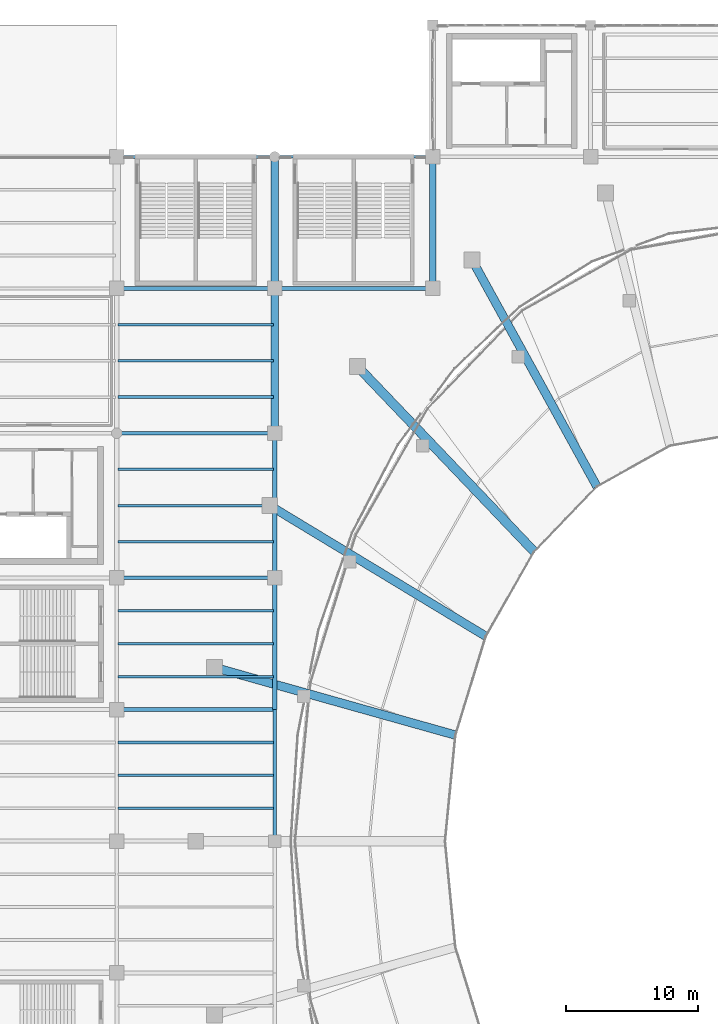
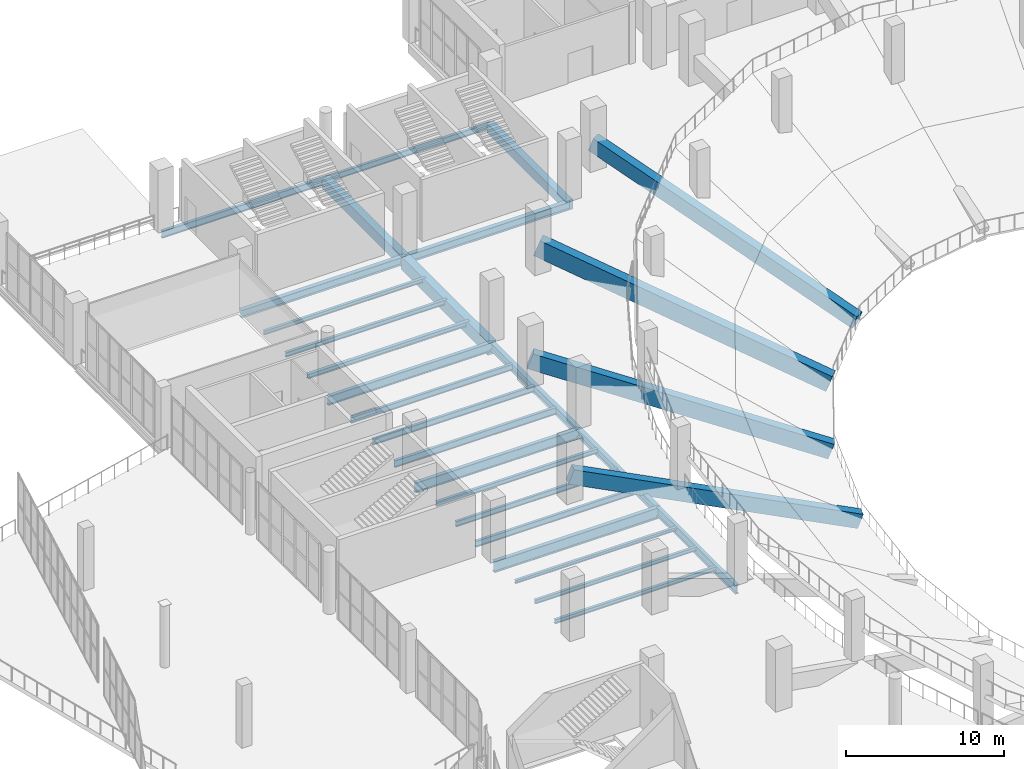
# One storey, part 51 of 136: 29 beams.
"""IFC4 building model written with IfcOpenShell, lengths in metres."""

from ifc_helpers import new_model, si_unit, direction, frame, origin, origin_2d, place, context, subcontext, project, spatial, rectangle, i_section, extrude, material, material_profile, profile_set, type_object, element, save


model = new_model("IFC4")

# Units and contexts
model_context = context("Model", 3, precision=1e-05, world=origin(), true_north=direction((0.0, 1.0)))
body_context = subcontext(model_context, "Body", "Model", "MODEL_VIEW")
ifc_project = project(units=[si_unit("LENGTHUNIT", "METRE"), si_unit("AREAUNIT", "SQUARE_METRE"), si_unit("VOLUMEUNIT", "CUBIC_METRE"), si_unit("PLANEANGLEUNIT", "RADIAN"), si_unit("MASSUNIT", "GRAM", prefix="KILO")], contexts=[model_context])

# Site, building, storey
site_placement = place(None, origin())
site = spatial("IfcSite", under=ifc_project, at=site_placement, CompositionType="ELEMENT")
building_placement = place(site_placement, origin())
building = spatial("IfcBuilding", under=site, at=building_placement, Name="Brinegate Civic Arena", CompositionType="ELEMENT")
storey_placement = place(building_placement, frame((0.0, 0.0, 5.39990234375)))
storey = spatial("IfcBuildingStorey", under=building, at=storey_placement, Name="L01", CompositionType="ELEMENT", Elevation=5.39990234375)

# Beams
ifc_material_1 = material(Name="Steel S355", Category="steel")
ifc_material_profile_1 = material_profile(ifc_material_1, i_section(OverallWidth=0.323974609375, OverallDepth=0.611083984375, WebThickness=0.012939453125, FlangeThickness=0.01904296875, FilletRadius=0.01611328125, at=origin_2d()), Name="W610X155")
ifc_profile_set_1 = profile_set([ifc_material_profile_1], Name="Steel S355")
beam_type_1 = type_object("IfcBeamType", Name="GIRDER-W610X155", PredefinedType="BEAM", material=ifc_profile_set_1)
beam_1_placement = place(storey_placement, frame((60.0, 104.0, -0.64501953125), z_axis=(1.0, 0.0, 0.0), x_axis=(0.0, 1.0, 0.0)))
element("IfcBeam", 1, at=beam_1_placement, inside=storey, type_object=beam_type_1, Name="Floor Girder BM-L01-GX-05-10", PredefinedType="BEAM", context=body_context, shape_type="SweptSolid", body=[
    extrude(i_section(OverallWidth=0.323974609375, OverallDepth=0.611083984375, WebThickness=0.012939453125, FlangeThickness=0.01904296875, FilletRadius=0.01611328125, at=origin_2d()), origin(), (0.0, 0.0, 1.0), 12.0),
])
beam_2_placement = place(storey_placement, frame((72.0, 72.0, -0.64501953125), z_axis=(0.0, 1.0, 0.0), x_axis=(-1.0, 0.0, 0.0)))
element("IfcBeam", 2, at=beam_2_placement, inside=storey, type_object=beam_type_1, Name="Floor Girder BM-L01-GY-06-07", PredefinedType="BEAM", context=body_context, shape_type="SweptSolid", body=[
    extrude(i_section(OverallWidth=0.323974609375, OverallDepth=0.611083984375, WebThickness=0.012939453125, FlangeThickness=0.01904296875, FilletRadius=0.01611328125, at=origin_2d()), origin(), (0.0, 0.0, 1.0), 10.0),
])
ifc_material_profile_2 = material_profile(ifc_material_1, i_section(OverallWidth=0.324951171875, OverallDepth=0.615966796875, WebThickness=0.013916015625, FlangeThickness=0.02197265625, FilletRadius=0.01611328125, at=origin_2d()), Name="W610X174")
ifc_profile_set_2 = profile_set([ifc_material_profile_2], Name="Steel S355")
beam_type_2 = type_object("IfcBeamType", Name="GIRDER-W610X174", PredefinedType="BEAM", material=ifc_profile_set_2)
beam_3_placement = place(storey_placement, frame((72.0, 104.0, -0.64794921875), z_axis=(1.0, 0.0, 0.0), x_axis=(0.0, 1.0, 0.0)))
element("IfcBeam", 3, at=beam_3_placement, inside=storey, type_object=beam_type_2, Name="Floor Girder BM-L01-GX-06-10", PredefinedType="BEAM", context=body_context, shape_type="SweptSolid", body=[
    extrude(i_section(OverallWidth=0.324951171875, OverallDepth=0.615966796875, WebThickness=0.013916015625, FlangeThickness=0.02197265625, FilletRadius=0.01611328125, at=origin_2d()), origin(), (0.0, 0.0, 1.0), 12.0),
])
beam_4_placement = place(storey_placement, frame((72.0, 82.0, -0.64794921875), z_axis=(0.0, 1.0, 0.0), x_axis=(-1.0, 0.0, 0.0)))
element("IfcBeam", 4, at=beam_4_placement, inside=storey, type_object=beam_type_2, Name="Floor Girder BM-L01-GY-06-08", PredefinedType="BEAM", context=body_context, shape_type="SweptSolid", body=[
    extrude(i_section(OverallWidth=0.324951171875, OverallDepth=0.615966796875, WebThickness=0.013916015625, FlangeThickness=0.02197265625, FilletRadius=0.01611328125, at=origin_2d()), origin(), (0.0, 0.0, 1.0), 11.0),
])
ifc_material_profile_3 = material_profile(ifc_material_1, i_section(OverallWidth=0.256103515625, OverallDepth=0.693115234375, WebThickness=0.014892578125, FlangeThickness=0.02392578125, FilletRadius=0.01806640625, at=origin_2d()), Name="W690X170")
ifc_profile_set_3 = profile_set([ifc_material_profile_3], Name="Steel S355")
beam_type_3 = type_object("IfcBeamType", Name="GIRDER-W690X170", PredefinedType="BEAM", material=ifc_profile_set_3)
beam_5_placement = place(storey_placement, frame((60.0, 93.0, -0.685791015625), z_axis=(1.0, 0.0, 0.0), x_axis=(0.0, 1.0, 0.0)))
element("IfcBeam", 5, at=beam_5_placement, inside=storey, type_object=beam_type_3, Name="Floor Girder BM-L01-GX-05-09", PredefinedType="BEAM", context=body_context, shape_type="SweptSolid", body=[
    extrude(i_section(OverallWidth=0.256103515625, OverallDepth=0.693115234375, WebThickness=0.014892578125, FlangeThickness=0.02392578125, FilletRadius=0.01806640625, at=origin_2d()), origin(), (0.0, 0.0, 1.0), 12.0),
])
beam_6_placement = place(storey_placement, frame((72.0, 62.0, -0.685791015625), z_axis=(0.0, 1.0, 0.0), x_axis=(-1.0, 0.0, 0.0)))
element("IfcBeam", 6, at=beam_6_placement, inside=storey, type_object=beam_type_3, Name="Floor Girder BM-L01-GY-06-06", PredefinedType="BEAM", context=body_context, shape_type="SweptSolid", body=[
    extrude(i_section(OverallWidth=0.256103515625, OverallDepth=0.693115234375, WebThickness=0.014892578125, FlangeThickness=0.02392578125, FilletRadius=0.01806640625, at=origin_2d()), origin(), (0.0, 0.0, 1.0), 10.0),
])
ifc_material_profile_4 = material_profile(ifc_material_1, i_section(OverallWidth=0.26806640625, OverallDepth=0.77001953125, WebThickness=0.01611328125, FlangeThickness=0.02490234375, FilletRadius=0.02001953125, at=origin_2d()), Name="W760X196")
ifc_profile_set_4 = profile_set([ifc_material_profile_4], Name="Steel S355")
beam_type_4 = type_object("IfcBeamType", Name="GIRDER-W760X196", PredefinedType="BEAM", material=ifc_profile_set_4)
beam_7_placement = place(storey_placement, frame((60.0, 82.0, -0.724853515625), z_axis=(1.0, 0.0, 0.0), x_axis=(0.0, 1.0, 0.0)))
element("IfcBeam", 7, at=beam_7_placement, inside=storey, type_object=beam_type_4, Name="Floor Girder BM-L01-GX-05-08", PredefinedType="BEAM", context=body_context, shape_type="SweptSolid", body=[
    extrude(i_section(OverallWidth=0.26806640625, OverallDepth=0.77001953125, WebThickness=0.01611328125, FlangeThickness=0.02490234375, FilletRadius=0.02001953125, at=origin_2d()), origin(), (0.0, 0.0, 1.0), 12.0),
])
ifc_material_profile_5 = material_profile(ifc_material_1, i_section(OverallWidth=0.2939453125, OverallDepth=0.85107421875, WebThickness=0.01611328125, FlangeThickness=0.027099609375, FilletRadius=0.02197265625, at=origin_2d()), Name="W840X226")
ifc_profile_set_5 = profile_set([ifc_material_profile_5], Name="Steel S355")
beam_type_5 = type_object("IfcBeamType", Name="GIRDER-W840X226", PredefinedType="BEAM", material=ifc_profile_set_5)
beam_8_placement = place(storey_placement, frame((60.0, 72.0, -0.764892578125), z_axis=(1.0, 0.0, 0.0), x_axis=(0.0, 1.0, 0.0)))
element("IfcBeam", 8, at=beam_8_placement, inside=storey, type_object=beam_type_5, Name="Floor Girder BM-L01-GX-05-07", PredefinedType="BEAM", context=body_context, shape_type="SweptSolid", body=[
    extrude(i_section(OverallWidth=0.2939453125, OverallDepth=0.85107421875, WebThickness=0.01611328125, FlangeThickness=0.027099609375, FilletRadius=0.02197265625, at=origin_2d()), origin(), (0.0, 0.0, 1.0), 12.0),
])
ifc_material_profile_6 = material_profile(ifc_material_1, i_section(OverallWidth=0.202880859375, OverallDepth=0.251953125, WebThickness=0.008056640625, FlangeThickness=0.013916015625, FilletRadius=0.011962890625, at=origin_2d()), Name="W250X58")
ifc_profile_set_6 = profile_set([ifc_material_profile_6], Name="Steel S355")
beam_type_6 = type_object("IfcBeamType", Name="JOIST-W250X58", PredefinedType="JOIST", material=ifc_profile_set_6)
beam_9_placement = place(storey_placement, frame((60.10595703125, 69.5, -0.4658203125), z_axis=(1.0, 0.0, 0.0), x_axis=(0.0, 1.0, 0.0)))
element("IfcBeam", 9, at=beam_9_placement, inside=storey, type_object=beam_type_6, Name="Secondary Joist BM-L01-JX-05-06-3", PredefinedType="JOIST", context=body_context, shape_type="SweptSolid", body=[
    extrude(i_section(OverallWidth=0.202880859375, OverallDepth=0.251953125, WebThickness=0.008056640625, FlangeThickness=0.013916015625, FilletRadius=0.011962890625, at=origin_2d()), origin(), (0.0, 0.0, 1.0), 11.7880859375),
])
ifc_material_profile_7 = material_profile(ifc_material_1, i_section(OverallWidth=0.202880859375, OverallDepth=0.302978515625, WebThickness=0.008056640625, FlangeThickness=0.012939453125, FilletRadius=0.012939453125, at=origin_2d()), Name="W310X60")
ifc_profile_set_7 = profile_set([ifc_material_profile_7], Name="Steel S355")
beam_type_7 = type_object("IfcBeamType", Name="JOIST-W310X60", PredefinedType="JOIST", material=ifc_profile_set_7)
beam_10_placement = place(storey_placement, frame((60.10595703125, 67.0, -0.490966796875), z_axis=(1.0, 0.0, 0.0), x_axis=(0.0, 1.0, 0.0)))
element("IfcBeam", 10, at=beam_10_placement, inside=storey, type_object=beam_type_7, Name="Secondary Joist BM-L01-JX-05-06-2", PredefinedType="JOIST", context=body_context, shape_type="SweptSolid", body=[
    extrude(i_section(OverallWidth=0.202880859375, OverallDepth=0.302978515625, WebThickness=0.008056640625, FlangeThickness=0.012939453125, FilletRadius=0.012939453125, at=origin_2d()), origin(), (0.0, 0.0, 1.0), 11.7880859375),
])
ifc_material_profile_8 = material_profile(ifc_material_1, i_section(OverallWidth=0.205078125, OverallDepth=0.31005859375, WebThickness=0.009033203125, FlangeThickness=0.01611328125, FilletRadius=0.012939453125, at=origin_2d()), Name="W310X74")
ifc_profile_set_8 = profile_set([ifc_material_profile_8], Name="Steel S355")
beam_type_8 = type_object("IfcBeamType", Name="JOIST-W310X74", PredefinedType="JOIST", material=ifc_profile_set_8)
for number, where, z_axis, x_axis, name in (
    (11, (60.10595703125, 64.5, -0.494873046875), (1.0, 0.0, 0.0), (0.0, 1.0, 0.0), "Secondary Joist BM-L01-JX-05-06-1"),
    (12, (60.10595703125, 101.25, -0.494873046875), (1.0, 0.0, 0.0), (0.0, 1.0, 0.0), "Secondary Joist BM-L01-JX-05-09-3"),
):
    element("IfcBeam", number, at=place(storey_placement, frame(where, z_axis=z_axis, x_axis=x_axis)), inside=storey, type_object=beam_type_8, Name=name, PredefinedType="JOIST", context=body_context, shape_type="SweptSolid", body=[
        extrude(i_section(OverallWidth=0.205078125, OverallDepth=0.31005859375, WebThickness=0.009033203125, FlangeThickness=0.01611328125, FilletRadius=0.012939453125, at=origin_2d()), origin(), (0.0, 0.0, 1.0), 11.7880859375),
    ])
ifc_material_profile_9 = material_profile(ifc_material_1, i_section(OverallWidth=0.202880859375, OverallDepth=0.346923828125, WebThickness=0.008056640625, FlangeThickness=0.013916015625, FilletRadius=0.013916015625, at=origin_2d()), Name="W360X64")
ifc_profile_set_9 = profile_set([ifc_material_profile_9], Name="Steel S355")
beam_type_9 = type_object("IfcBeamType", Name="JOIST-W360X64", PredefinedType="JOIST", material=ifc_profile_set_9)
beam_11_placement = place(storey_placement, frame((60.10595703125, 79.5, -0.512939453125), z_axis=(1.0, 0.0, 0.0), x_axis=(0.0, 1.0, 0.0)))
element("IfcBeam", 13, at=beam_11_placement, inside=storey, type_object=beam_type_9, Name="Secondary Joist BM-L01-JX-05-07-3", PredefinedType="JOIST", context=body_context, shape_type="SweptSolid", body=[
    extrude(i_section(OverallWidth=0.202880859375, OverallDepth=0.346923828125, WebThickness=0.008056640625, FlangeThickness=0.013916015625, FilletRadius=0.013916015625, at=origin_2d()), origin(), (0.0, 0.0, 1.0), 11.7880859375),
])
ifc_material_profile_10 = material_profile(ifc_material_1, i_section(OverallWidth=0.205078125, OverallDepth=0.35400390625, WebThickness=0.009033203125, FlangeThickness=0.01708984375, FilletRadius=0.013916015625, at=origin_2d()), Name="W360X79")
ifc_profile_set_10 = profile_set([ifc_material_profile_10], Name="Steel S355")
beam_type_10 = type_object("IfcBeamType", Name="JOIST-W360X79", PredefinedType="JOIST", material=ifc_profile_set_10)
beam_12_placement = place(storey_placement, frame((60.10595703125, 98.5, -0.516845703125), z_axis=(1.0, 0.0, 0.0), x_axis=(0.0, 1.0, 0.0)))
element("IfcBeam", 14, at=beam_12_placement, inside=storey, type_object=beam_type_10, Name="Secondary Joist BM-L01-JX-05-09-2", PredefinedType="JOIST", context=body_context, shape_type="SweptSolid", body=[
    extrude(i_section(OverallWidth=0.205078125, OverallDepth=0.35400390625, WebThickness=0.009033203125, FlangeThickness=0.01708984375, FilletRadius=0.013916015625, at=origin_2d()), origin(), (0.0, 0.0, 1.0), 11.7880859375),
])
ifc_material_profile_11 = material_profile(ifc_material_1, i_section(OverallWidth=0.25390625, OverallDepth=0.35302734375, WebThickness=0.010009765625, FlangeThickness=0.01611328125, FilletRadius=0.013916015625, at=origin_2d()), Name="W360X91")
ifc_profile_set_11 = profile_set([ifc_material_profile_11], Name="Steel S355")
beam_type_11 = type_object("IfcBeamType", Name="JOIST-W360X91", PredefinedType="JOIST", material=ifc_profile_set_11)
beam_13_placement = place(storey_placement, frame((60.10595703125, 95.75, -0.515869140625), z_axis=(1.0, 0.0, 0.0), x_axis=(0.0, 1.0, 0.0)))
element("IfcBeam", 15, at=beam_13_placement, inside=storey, type_object=beam_type_11, Name="Secondary Joist BM-L01-JX-05-09-1", PredefinedType="JOIST", context=body_context, shape_type="SweptSolid", body=[
    extrude(i_section(OverallWidth=0.25390625, OverallDepth=0.35302734375, WebThickness=0.010009765625, FlangeThickness=0.01611328125, FilletRadius=0.013916015625, at=origin_2d()), origin(), (0.0, 0.0, 1.0), 11.7880859375),
])
ifc_material_profile_12 = material_profile(ifc_material_1, i_section(OverallWidth=0.179931640625, OverallDepth=0.4130859375, WebThickness=0.010009765625, FlangeThickness=0.01611328125, FilletRadius=0.013916015625, at=origin_2d()), Name="W410X75")
ifc_profile_set_12 = profile_set([ifc_material_profile_12], Name="Steel S355")
beam_type_12 = type_object("IfcBeamType", Name="JOIST-W410X75", PredefinedType="JOIST", material=ifc_profile_set_12)
beam_14_placement = place(storey_placement, frame((60.10595703125, 77.0, -0.5458984375), z_axis=(1.0, 0.0, 0.0), x_axis=(0.0, 1.0, 0.0)))
element("IfcBeam", 16, at=beam_14_placement, inside=storey, type_object=beam_type_12, Name="Secondary Joist BM-L01-JX-05-07-2", PredefinedType="JOIST", context=body_context, shape_type="SweptSolid", body=[
    extrude(i_section(OverallWidth=0.179931640625, OverallDepth=0.4130859375, WebThickness=0.010009765625, FlangeThickness=0.01611328125, FilletRadius=0.013916015625, at=origin_2d()), origin(), (0.0, 0.0, 1.0), 11.7880859375),
])
ifc_material_profile_13 = material_profile(ifc_material_1, i_section(OverallWidth=0.195068359375, OverallDepth=0.472900390625, WebThickness=0.011962890625, FlangeThickness=0.02197265625, FilletRadius=0.014892578125, at=origin_2d()), Name="W460X113")
ifc_profile_set_13 = profile_set([ifc_material_profile_13], Name="Steel S355")
beam_type_13 = type_object("IfcBeamType", Name="JOIST-W460X113", PredefinedType="JOIST", material=ifc_profile_set_13)
beam_15_placement = place(storey_placement, frame((60.10595703125, 87.5, -0.575927734375), z_axis=(1.0, 0.0, 0.0), x_axis=(0.0, 1.0, 0.0)))
element("IfcBeam", 17, at=beam_15_placement, inside=storey, type_object=beam_type_13, Name="Secondary Joist BM-L01-JX-05-08-2", PredefinedType="JOIST", context=body_context, shape_type="SweptSolid", body=[
    extrude(i_section(OverallWidth=0.195068359375, OverallDepth=0.472900390625, WebThickness=0.011962890625, FlangeThickness=0.02197265625, FilletRadius=0.014892578125, at=origin_2d()), origin(), (0.0, 0.0, 1.0), 11.7880859375),
])
ifc_material_profile_14 = material_profile(ifc_material_1, i_section(OverallWidth=0.19091796875, OverallDepth=0.4599609375, WebThickness=0.010009765625, FlangeThickness=0.01611328125, FilletRadius=0.014892578125, at=origin_2d()), Name="W460X82")
ifc_profile_set_14 = profile_set([ifc_material_profile_14], Name="Steel S355")
beam_type_14 = type_object("IfcBeamType", Name="JOIST-W460X82", PredefinedType="JOIST", material=ifc_profile_set_14)
beam_16_placement = place(storey_placement, frame((60.10595703125, 90.25, -0.56982421875), z_axis=(1.0, 0.0, 0.0), x_axis=(0.0, 1.0, 0.0)))
element("IfcBeam", 18, at=beam_16_placement, inside=storey, type_object=beam_type_14, Name="Secondary Joist BM-L01-JX-05-08-3", PredefinedType="JOIST", context=body_context, shape_type="SweptSolid", body=[
    extrude(i_section(OverallWidth=0.19091796875, OverallDepth=0.4599609375, WebThickness=0.010009765625, FlangeThickness=0.01611328125, FilletRadius=0.014892578125, at=origin_2d()), origin(), (0.0, 0.0, 1.0), 11.7880859375),
])
ifc_material_profile_15 = material_profile(ifc_material_1, i_section(OverallWidth=0.193115234375, OverallDepth=0.466064453125, WebThickness=0.010986328125, FlangeThickness=0.01904296875, FilletRadius=0.014892578125, at=origin_2d()), Name="W460X97")
ifc_profile_set_15 = profile_set([ifc_material_profile_15], Name="Steel S355")
beam_type_15 = type_object("IfcBeamType", Name="JOIST-W460X97", PredefinedType="JOIST", material=ifc_profile_set_15)
beam_17_placement = place(storey_placement, frame((60.10595703125, 74.5, -0.572998046875), z_axis=(1.0, 0.0, 0.0), x_axis=(0.0, 1.0, 0.0)))
element("IfcBeam", 19, at=beam_17_placement, inside=storey, type_object=beam_type_15, Name="Secondary Joist BM-L01-JX-05-07-1", PredefinedType="JOIST", context=body_context, shape_type="SweptSolid", body=[
    extrude(i_section(OverallWidth=0.193115234375, OverallDepth=0.466064453125, WebThickness=0.010986328125, FlangeThickness=0.01904296875, FilletRadius=0.014892578125, at=origin_2d()), origin(), (0.0, 0.0, 1.0), 11.7880859375),
])
ifc_material_profile_16 = material_profile(ifc_material_1, i_section(OverallWidth=0.2109375, OverallDepth=0.5390625, WebThickness=0.011962890625, FlangeThickness=0.01904296875, FilletRadius=0.01611328125, at=origin_2d()), Name="W530X109")
ifc_profile_set_16 = profile_set([ifc_material_profile_16], Name="Steel S355")
beam_type_16 = type_object("IfcBeamType", Name="JOIST-W530X109", PredefinedType="JOIST", material=ifc_profile_set_16)
beam_18_placement = place(storey_placement, frame((60.10595703125, 84.75, -0.60888671875), z_axis=(1.0, 0.0, 0.0), x_axis=(0.0, 1.0, 0.0)))
element("IfcBeam", 20, at=beam_18_placement, inside=storey, type_object=beam_type_16, Name="Secondary Joist BM-L01-JX-05-08-1", PredefinedType="JOIST", context=body_context, shape_type="SweptSolid", body=[
    extrude(i_section(OverallWidth=0.2109375, OverallDepth=0.5390625, WebThickness=0.011962890625, FlangeThickness=0.01904296875, FilletRadius=0.01611328125, at=origin_2d()), origin(), (0.0, 0.0, 1.0), 11.7880859375),
])
ifc_material_2 = material(Name="Concrete C50/60", Category="concrete")
ifc_material_profile_17 = material_profile(ifc_material_2, rectangle(XDim=0.64990234375, YDim=1.10009765625, at=origin_2d()), Name="RKR650X1100")
ifc_profile_set_17 = profile_set([ifc_material_profile_17], Name="Concrete C50/60")
beam_type_17 = type_object("IfcBeamType", Name="RAKER-RKR650X1100", PredefinedType="USERDEFINED", material=ifc_profile_set_17)
beam_19_placement = place(storey_placement, frame((96.39990234375, 89.10693359375, -4.89990234375), z_axis=(-0.456341906556, 0.828223462322, 0.325265984666), x_axis=(-0.875849933393, -0.482583561858, 0.0)))
element("IfcBeam", 21, at=beam_19_placement, inside=storey, type_object=beam_type_17, Name="Lower Bowl Raker Girder RKR-LWR-09", ObjectType="RAKER GIRDER", PredefinedType="USERDEFINED", context=body_context, shape_type="SweptSolid", body=[
    extrude(rectangle(XDim=0.64990234375, YDim=1.10009765625, at=origin_2d()), origin(), (0.0, 0.0, 1.0), 20.598388671875),
])
beam_20_placement = place(storey_placement, frame((85.591064453125, 70.10107421875, -4.89990234375), z_axis=(-0.907237931678, 0.254727686103, 0.334713521174), x_axis=(-0.270319746837, -0.962770603244, 0.0)))
element("IfcBeam", 22, at=beam_20_placement, inside=storey, type_object=beam_type_17, Name="Lower Bowl Raker Girder RKR-LWR-12", ObjectType="RAKER GIRDER", PredefinedType="USERDEFINED", context=body_context, shape_type="SweptSolid", body=[
    extrude(rectangle(XDim=0.64990234375, YDim=1.10009765625, at=origin_2d()), origin(), (0.0, 0.0, 1.0), 20.01708984375),
])
ifc_material_profile_18 = material_profile(ifc_material_2, rectangle(XDim=0.64990234375, YDim=1.199951171875, at=origin_2d()), Name="RKR650X1200")
ifc_profile_set_18 = profile_set([ifc_material_profile_18], Name="Concrete C50/60")
beam_type_18 = type_object("IfcBeamType", Name="RAKER-RKR650X1200", PredefinedType="USERDEFINED", material=ifc_profile_set_18)
beam_21_placement = place(storey_placement, frame((87.907958984375, 77.64990234375, -4.89990234375), z_axis=(-0.807034448443, 0.488260258474, 0.332110401857), x_axis=(-0.517641309359, -0.85559772957, 0.0)))
element("IfcBeam", 23, at=beam_21_placement, inside=storey, type_object=beam_type_18, Name="Lower Bowl Raker Girder RKR-LWR-11", ObjectType="RAKER GIRDER", PredefinedType="USERDEFINED", context=body_context, shape_type="SweptSolid", body=[
    extrude(rectangle(XDim=0.64990234375, YDim=1.199951171875, at=origin_2d()), origin(), (0.0, 0.0, 1.0), 20.173828125),
])
ifc_material_profile_19 = material_profile(ifc_material_2, rectangle(XDim=0.699951171875, YDim=1.300048828125, at=origin_2d()), Name="RKR700X1300")
ifc_profile_set_19 = profile_set([ifc_material_profile_19], Name="Concrete C50/60")
beam_type_19 = type_object("IfcBeamType", Name="RAKER-RKR700X1300", PredefinedType="USERDEFINED", material=ifc_profile_set_19)
beam_22_placement = place(storey_placement, frame((91.594970703125, 84.132080078125, -4.89990234375), z_axis=(-0.652027240531, 0.683270611648, 0.328636195304), x_axis=(-0.723453696653, -0.690372905609, 0.0)))
element("IfcBeam", 24, at=beam_22_placement, inside=storey, type_object=beam_type_19, Name="Lower Bowl Raker Girder RKR-LWR-10", ObjectType="RAKER GIRDER", PredefinedType="USERDEFINED", context=body_context, shape_type="SweptSolid", body=[
    extrude(rectangle(XDim=0.699951171875, YDim=1.300048828125, at=origin_2d()), origin(), (0.0, 0.0, 1.0), 20.38720703125),
])
ifc_material_profile_20 = material_profile(ifc_material_2, rectangle(XDim=0.5, YDim=0.75, at=origin_2d()), Name="RCB500X750")
ifc_profile_set_20 = profile_set([ifc_material_profile_20], Name="Concrete C50/60")
beam_type_20 = type_object("IfcBeamType", Name="RCG-500X750", PredefinedType="BEAM", material=ifc_profile_set_20)
beam_23_placement = place(storey_placement, frame((84.0, 104.0, -0.71484375), z_axis=(0.0, 1.0, 0.0), x_axis=(-1.0, 0.0, 0.0)))
element("IfcBeam", 25, at=beam_23_placement, inside=storey, type_object=beam_type_20, Name="Floor Girder BM-L01-GY-07-10", PredefinedType="BEAM", context=body_context, shape_type="SweptSolid", body=[
    extrude(rectangle(XDim=0.5, YDim=0.75, at=origin_2d()), origin(), (0.0, 0.0, 1.0), 10.0),
])
ifc_material_profile_21 = material_profile(ifc_material_2, rectangle(XDim=0.550048828125, YDim=0.85009765625, at=origin_2d()), Name="RCB550X850")
ifc_profile_set_21 = profile_set([ifc_material_profile_21], Name="Concrete C50/60")
beam_type_21 = type_object("IfcBeamType", Name="RCG-550X850", PredefinedType="BEAM", material=ifc_profile_set_21)
beam_24_placement = place(storey_placement, frame((72.0, 104.0, -0.764892578125), z_axis=(0.0, 1.0, 0.0), x_axis=(-1.0, 0.0, 0.0)))
element("IfcBeam", 26, at=beam_24_placement, inside=storey, type_object=beam_type_21, Name="Floor Girder BM-L01-GY-06-10", PredefinedType="BEAM", context=body_context, shape_type="SweptSolid", body=[
    extrude(rectangle(XDim=0.550048828125, YDim=0.85009765625, at=origin_2d()), origin(), (0.0, 0.0, 1.0), 10.0),
])
ifc_material_profile_22 = material_profile(ifc_material_2, rectangle(XDim=0.60009765625, YDim=1.0, at=origin_2d()), Name="RCB600X1000")
ifc_profile_set_22 = profile_set([ifc_material_profile_22], Name="Concrete C50/60")
beam_type_22 = type_object("IfcBeamType", Name="RCG-600X1000", PredefinedType="BEAM", material=ifc_profile_set_22)
beam_25_placement = place(storey_placement, frame((72.0, 93.0, -0.83984375), z_axis=(0.0, 1.0, 0.0), x_axis=(-1.0, 0.0, 0.0)))
element("IfcBeam", 27, at=beam_25_placement, inside=storey, type_object=beam_type_22, Name="Floor Girder BM-L01-GY-06-09", PredefinedType="BEAM", context=body_context, shape_type="SweptSolid", body=[
    extrude(rectangle(XDim=0.60009765625, YDim=1.0, at=origin_2d()), origin(), (0.0, 0.0, 1.0), 11.0),
])
ifc_material_profile_23 = material_profile(ifc_material_1, i_section(OverallWidth=0.193115234375, OverallDepth=0.466064453125, WebThickness=0.010986328125, FlangeThickness=0.01904296875, FilletRadius=0.014892578125, at=origin_2d()), Name="W460X97")
ifc_profile_set_23 = profile_set([ifc_material_profile_23], Name="Steel S355")
beam_type_23 = type_object("IfcBeamType", Name="SPANDREL-W460X97", PredefinedType="SPANDREL", material=ifc_profile_set_23)
beam_26_placement = place(storey_placement, frame((72.0, 114.0, -0.572998046875), z_axis=(1.0, 0.0, 0.0), x_axis=(0.0, 1.0, 0.0)))
element("IfcBeam", 28, at=beam_26_placement, inside=storey, type_object=beam_type_23, Name="Floor Girder BM-L01-GX-06-11", PredefinedType="SPANDREL", context=body_context, shape_type="SweptSolid", body=[
    extrude(i_section(OverallWidth=0.193115234375, OverallDepth=0.466064453125, WebThickness=0.010986328125, FlangeThickness=0.01904296875, FilletRadius=0.014892578125, at=origin_2d()), origin(), (0.0, 0.0, 1.0), 12.0),
])
ifc_material_profile_24 = material_profile(ifc_material_1, i_section(OverallWidth=0.2119140625, OverallDepth=0.5439453125, WebThickness=0.012939453125, FlangeThickness=0.02099609375, FilletRadius=0.01611328125, at=origin_2d()), Name="W530X123")
ifc_profile_set_24 = profile_set([ifc_material_profile_24], Name="Steel S355")
beam_type_24 = type_object("IfcBeamType", Name="SPANDREL-W530X123", PredefinedType="SPANDREL", material=ifc_profile_set_24)
beam_27_placement = place(storey_placement, frame((60.0, 114.0, -0.61181640625), z_axis=(1.0, 0.0, 0.0), x_axis=(0.0, 1.0, 0.0)))
element("IfcBeam", 29, at=beam_27_placement, inside=storey, type_object=beam_type_24, Name="Floor Girder BM-L01-GX-05-11", PredefinedType="SPANDREL", context=body_context, shape_type="SweptSolid", body=[
    extrude(i_section(OverallWidth=0.2119140625, OverallDepth=0.5439453125, WebThickness=0.012939453125, FlangeThickness=0.02099609375, FilletRadius=0.01611328125, at=origin_2d()), origin(), (0.0, 0.0, 1.0), 12.0),
])

save(model, "model.ifc")
